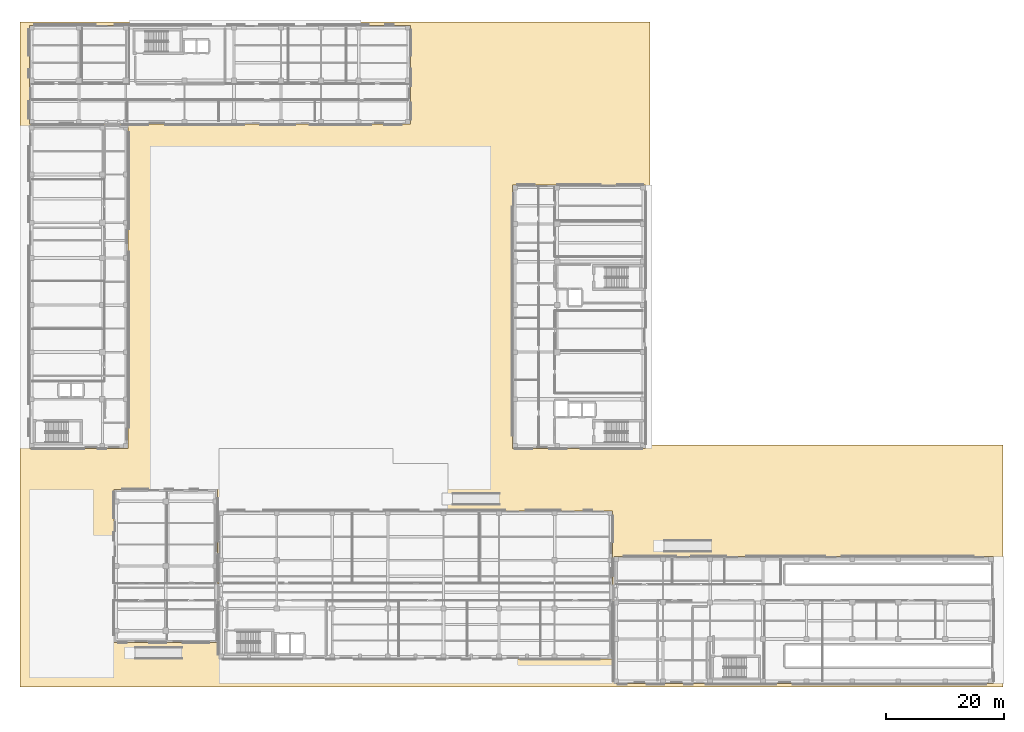
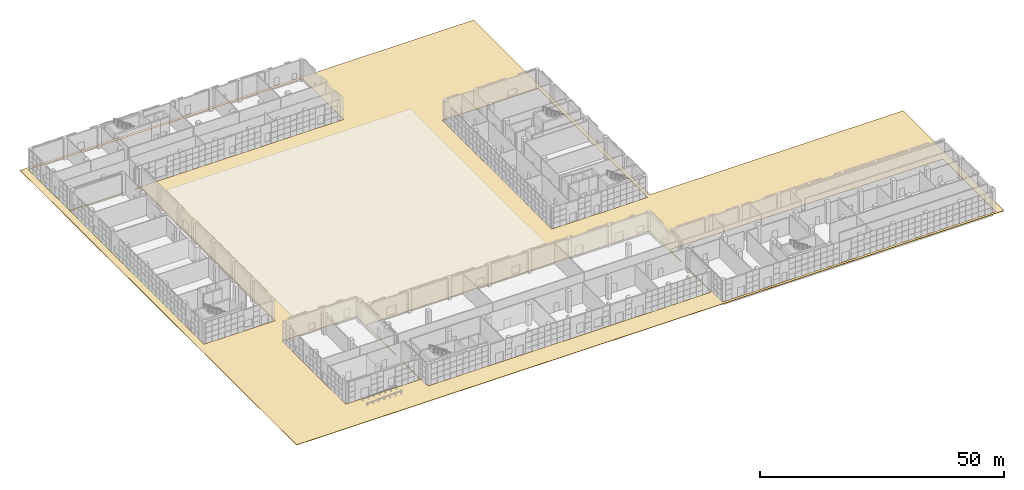
# One storey, part 30 of 40: 1 covering.
"""IFC4 building model written with IfcOpenShell, lengths in metres."""

from ifc_helpers import new_model, si_unit, direction, frame, origin, place, context, subcontext, project, spatial, polyline, outline, extrude, material, layer, layer_set, type_object, element, save


model = new_model("IFC4")

# Units and contexts
model_context = context("Model", 3, precision=1e-05, world=origin(), true_north=direction((0.0, 1.0)))
body_context = subcontext(model_context, "Body", "Model", "MODEL_VIEW")
ifc_project = project(units=[si_unit("LENGTHUNIT", "METRE"), si_unit("AREAUNIT", "SQUARE_METRE"), si_unit("VOLUMEUNIT", "CUBIC_METRE"), si_unit("PLANEANGLEUNIT", "RADIAN"), si_unit("MASSUNIT", "GRAM", prefix="KILO")], contexts=[model_context])

# Site, building, storey
site_placement = place(None, origin())
site = spatial("IfcSite", under=ifc_project, at=site_placement, CompositionType="ELEMENT")
building_placement = place(site_placement, origin())
building = spatial("IfcBuilding", under=site, at=building_placement, Name="Qalavern Law Courts", CompositionType="ELEMENT")
storey_placement = place(building_placement, origin())
storey = spatial("IfcBuildingStorey", under=building, at=storey_placement, Name="L00", CompositionType="ELEMENT", Elevation=0.0)

# Covering
ifc_material = material(Name="Precast concrete C40/50", Category="concrete")
ifc_layer = layer(ifc_material, 0.090087890625)
ifc_layer_set = layer_set([ifc_layer], Name="Precast concrete C40/50")
covering_type = type_object("IfcCoveringType", Name="ENV-PAV-PLAZA", PredefinedType="USERDEFINED", material=ifc_layer_set)
covering_placement = place(storey_placement, frame((0.0, 0.0, -0.090087890625)))
element("IfcCovering", 1, at=covering_placement, inside=storey, type_object=covering_type, Name="Shared civic plaza and inner-court stone base 1", ObjectType="PAVING", PredefinedType="USERDEFINED", context=body_context, shape_type="SweptSolid", body=[
    extrude(outline(polyline([(0.39990234375, 113.60009765625), (107.60009765625, 113.60009765625), (107.60009765625, 41.60009765625), (167.60009765625, 41.60009765625), (167.60009765625, 0.39990234375), (0.39990234375, 0.39990234375), (0.39990234375, 113.60009765625)]), holes=[polyline([(166.0, 22.60009765625), (101.419921875, 22.60009765625), (101.419921875, 17.800048828125), (101.199951171875, 17.800048828125), (101.199951171875, 30.39990234375), (34.219970703125, 30.39990234375), (34.219970703125, 18.0), (34.0, 18.0), (34.0, 34.0), (16.39990234375, 34.0), (16.39990234375, 8.0), (34.0, 8.0), (34.0, 15.199951171875), (34.219970703125, 15.199951171875), (34.219970703125, 5.199951171875), (101.199951171875, 5.199951171875), (101.199951171875, 15.199951171875), (101.419921875, 15.199951171875), (101.419921875, 1.0), (166.0, 1.0), (166.0, 22.60009765625)]), polyline([(84.199951171875, 85.800048828125), (84.199951171875, 41.02001953125), (106.800048828125, 41.02001953125), (106.800048828125, 85.800048828125), (84.199951171875, 85.800048828125)]), polyline([(18.800048828125, 41.02001953125), (18.800048828125, 95.97998046875), (17.449951171875, 95.97998046875), (17.449951171875, 96.199951171875), (66.800048828125, 96.199951171875), (66.800048828125, 113.0), (2.0, 113.0), (2.0, 96.199951171875), (14.85009765625, 96.199951171875), (14.85009765625, 95.97998046875), (2.0, 95.97998046875), (2.0, 41.02001953125), (18.800048828125, 41.02001953125)])]), origin(), (0.0, 0.0, 1.0), 0.090087890625),
])

save(model, "model.ifc")
